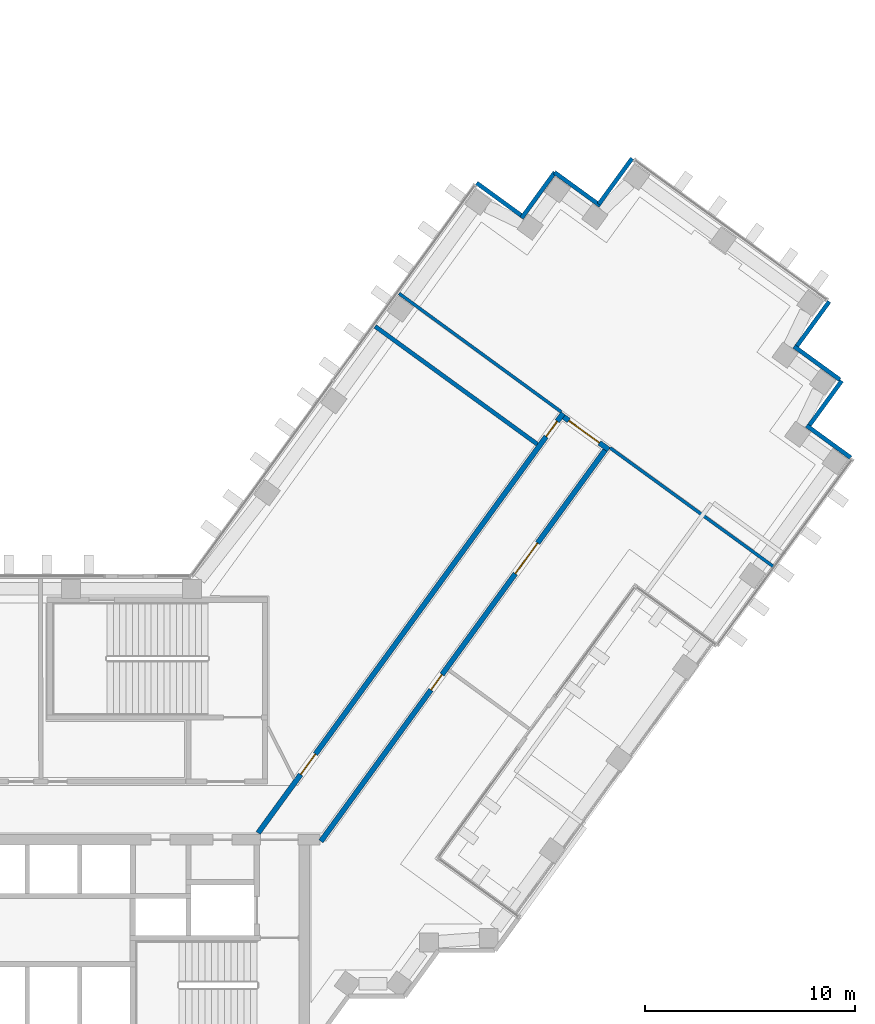
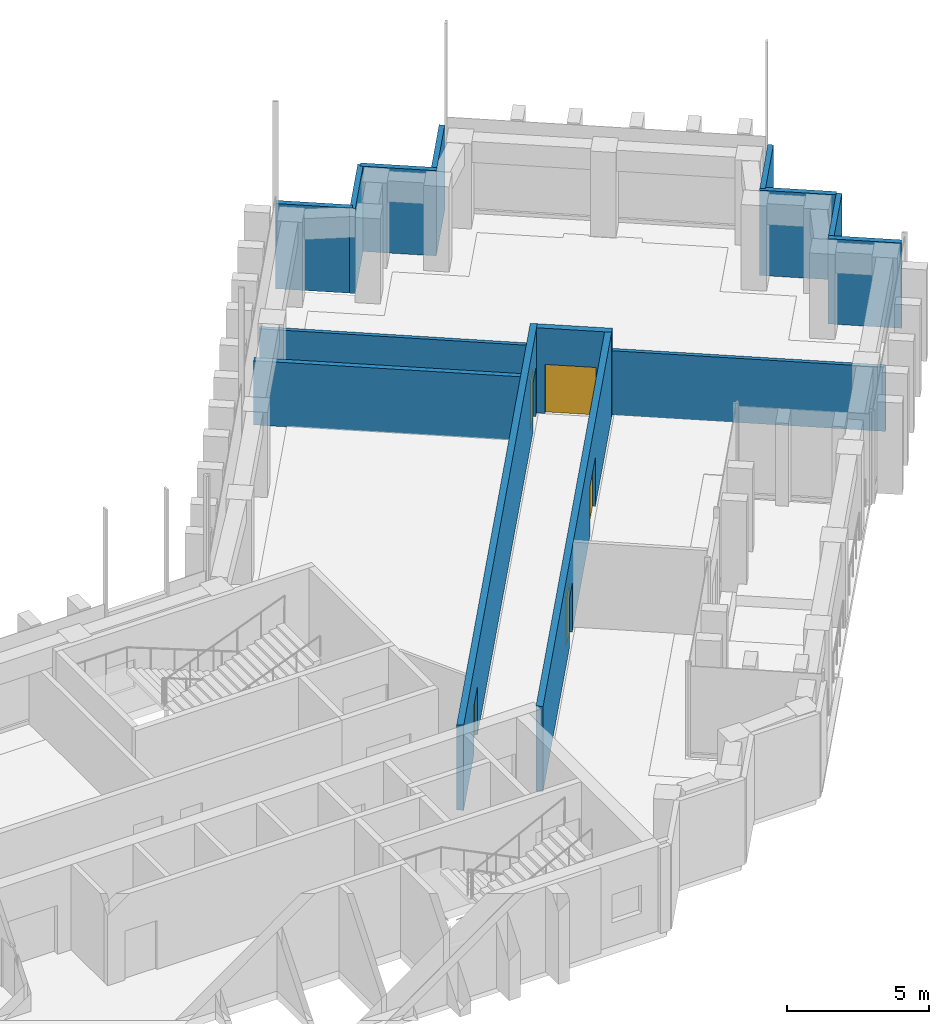
# One storey, part 13 of 17: 14 walls, 5 doors, 5 openings.
"""IFC4 building model written with IfcOpenShell, lengths in metres."""

from ifc_helpers import new_model, si_unit, direction, frame, frame_2d, origin, place, context, subcontext, project, spatial, rectangle, extrude, material, layer, layer_set, type_object, element, fill, save


model = new_model("IFC4")

# Units and contexts
model_context = context("Model", 3, precision=1e-05, world=origin(), true_north=direction((0.0, 1.0)))
body_context = subcontext(model_context, "Body", "Model", "MODEL_VIEW")
ifc_project = project(units=[si_unit("LENGTHUNIT", "METRE"), si_unit("AREAUNIT", "SQUARE_METRE"), si_unit("VOLUMEUNIT", "CUBIC_METRE"), si_unit("PLANEANGLEUNIT", "RADIAN"), si_unit("MASSUNIT", "GRAM", prefix="KILO")], contexts=[model_context])

# Site, building, storey
site_placement = place(None, origin())
site = spatial("IfcSite", under=ifc_project, at=site_placement, CompositionType="ELEMENT")
building_placement = place(site_placement, origin())
building = spatial("IfcBuilding", under=site, at=building_placement, Name="Quipu Civic Tower", CompositionType="ELEMENT")
storey_placement = place(building_placement, frame((0.0, 0.0, 101.0)))
storey = spatial("IfcBuildingStorey", under=building, at=storey_placement, Name="L23", CompositionType="ELEMENT", Elevation=101.0)

# Walls
ifc_material_1 = material(Name="Double gypsum plasterboard with mineral wool")
ifc_layer_1 = layer(ifc_material_1, 0.14990234375)
ifc_layer_set_1 = layer_set([ifc_layer_1], Name="Double gypsum plasterboard with mineral wool")
wall_type_1 = type_object("IfcWallType", Name="Acoustic partition 150 plasterboard", PredefinedType="PARTITIONING", material=ifc_layer_set_1)
wall_1_placement = place(storey_placement, frame((42.105712890625, 11.539794921875, 0.0), z_axis=(0.0, 0.0, 1.0), x_axis=(-0.808982149318, 0.587833209409, 0.0)))
element("IfcWall", 1, at=wall_1_placement, inside=storey, type_object=wall_type_1, Name="Partition P02", PredefinedType="PARTITIONING", context=body_context, shape_type="SweptSolid", body=[
    extrude(rectangle(XDim=9.65087890625, YDim=0.14990234375, at=frame_2d((4.825439453125, 0.0))), origin(), (0.0, 0.0, 1.0), 2.75),
])
wall_2_placement = place(storey_placement, frame((24.25146484375, 24.56591796875, 0.0), z_axis=(0.0, 0.0, 1.0), x_axis=(0.807588329082, -0.589746632657, 0.0)))
element("IfcWall", 2, at=wall_2_placement, inside=storey, type_object=wall_type_1, Name="Partition P12", PredefinedType="PARTITIONING", context=body_context, shape_type="SweptSolid", body=[
    extrude(rectangle(XDim=9.56982421875, YDim=0.14990234375, at=frame_2d((4.784912109375, 0.0))), origin(), (0.0, 0.0, 1.0), 2.75),
])
ifc_material_2 = material(Name="Fired clay blockwork", Category="masonry")
ifc_layer_2 = layer(ifc_material_2, 0.199951171875)
ifc_layer_set_2 = layer_set([ifc_layer_2], Name="Fired clay blockwork")
wall_type_2 = type_object("IfcWallType", Name="Blockwork wall 200", PredefinedType="SOLIDWALL", material=ifc_layer_set_2)
wall_3_placement = place(storey_placement, frame((30.838134765625, 17.384765625, 0.0), z_axis=(0.0, 0.0, 1.0), x_axis=(-0.809043311713, 0.587749027879, 0.0)))
element("IfcWall", 3, at=wall_3_placement, inside=storey, type_object=wall_type_2, Name="Partition P01", PredefinedType="SOLIDWALL", context=body_context, shape_type="SweptSolid", body=[
    extrude(rectangle(XDim=9.549560546875, YDim=0.199951171875, at=frame_2d((4.77490234375, 0.0))), origin(), (0.0, 0.0, 1.0), 2.75),
])

# Wall, openings, doors
ifc_material_3 = material(Name="Concrete C50/60", Category="concrete")
ifc_layer_3 = layer(ifc_material_3, 0.25)
ifc_layer_set_3 = layer_set([ifc_layer_3], Name="Concrete C50/60")
wall_type_3 = type_object("IfcWallType", Name="Corridor wall 250 concrete", PredefinedType="SOLIDWALL", material=ifc_layer_set_3)
wall_4_placement = place(storey_placement, frame((17.544921875, -1.124755859375, 0.0), z_axis=(0.0, 0.0, 1.0), x_axis=(0.587791430994, 0.80901250525, 0.0)))
wall_4 = element("IfcWall", 4, at=wall_4_placement, inside=storey, type_object=wall_type_3, Name="Corridor wall C06", PredefinedType="SOLIDWALL", context=body_context, shape_type="SweptSolid", body=[
    extrude(rectangle(XDim=24.703125, YDim=0.25, at=frame_2d((12.3515625, 0.0))), origin(), (0.0, 0.0, 1.0), 3.64990234375),
])
opening_1_placement = place(wall_4_placement, frame((3.4423828125, 0.0, 0.0)))
opening_1 = element("IfcOpeningElement", 5, at=opening_1_placement, cuts=wall_4, Name="Opening D001", PredefinedType="OPENING", context=body_context, shape_type="SweptSolid", body=[
    extrude(rectangle(XDim=1.199951171875, YDim=2.10009765625, at=frame_2d((0.60009765625, 1.050048828125))), frame((0.0, 0.135009765625, 0.0), z_axis=(0.0, -1.0, 0.0), x_axis=(1.0, 0.0, 0.0)), (0.0, 0.0, 1.0), 0.27001953125),
])
opening_2_placement = place(wall_4_placement, frame((23.328857421875, 0.0, 0.0)))
opening_2 = element("IfcOpeningElement", 6, at=opening_2_placement, cuts=wall_4, Name="Opening D002", PredefinedType="OPENING", context=body_context, shape_type="SweptSolid", body=[
    extrude(rectangle(XDim=0.89990234375, YDim=2.10009765625, at=frame_2d((0.449951171875, 1.050048828125))), frame((0.0, 0.135009765625, 0.0), z_axis=(0.0, -1.0, 0.0), x_axis=(1.0, 0.0, 0.0)), (0.0, 0.0, 1.0), 0.27001953125),
])
ifc_material_4 = material(Name="Fire rated timber door set with metal frame", Category="wood")
door_type_1 = type_object("IfcDoorType", Name="Single door 1200 x 2100 FD60", OperationType="NOTDEFINED", PredefinedType="DOOR", material=ifc_material_4)
door_1_placement = place(opening_1_placement, origin())
door_1 = element("IfcDoor", 7, at=door_1_placement, inside=storey, type_object=door_type_1, Name="Door D001", OperationType="SINGLE_SWING_LEFT", OverallHeight=2.10009765625, OverallWidth=1.199951171875, PredefinedType="DOOR", context=body_context, shape_type="SweptSolid", body=[
    extrude(rectangle(XDim=1.199951171875, YDim=2.10009765625, at=frame_2d((0.60009765625, 1.050048828125))), frame((0.0, 0.02490234375, 0.0), z_axis=(0.0, -1.0, 0.0), x_axis=(1.0, 0.0, 0.0)), (0.0, 0.0, 1.0), 0.050048828125),
])
fill(opening_1, door_1)
ifc_material_5 = material(Name="Fire rated timber door set with metal frame", Category="wood")
door_type_2 = type_object("IfcDoorType", Name="Single door 900 x 2100 FD60", OperationType="NOTDEFINED", PredefinedType="DOOR", material=ifc_material_5)
door_2_placement = place(opening_2_placement, origin())
door_2 = element("IfcDoor", 8, at=door_2_placement, inside=storey, type_object=door_type_2, Name="Door D002", OperationType="SINGLE_SWING_RIGHT", OverallHeight=2.10009765625, OverallWidth=0.89990234375, PredefinedType="DOOR", context=body_context, shape_type="SweptSolid", body=[
    extrude(rectangle(XDim=0.89990234375, YDim=2.10009765625, at=frame_2d((0.449951171875, 1.050048828125))), frame((0.0, 0.02490234375, 0.0), z_axis=(0.0, -1.0, 0.0), x_axis=(1.0, 0.0, 0.0)), (0.0, 0.0, 1.0), 0.050048828125),
])
fill(opening_2, door_2)

# Wall, opening, door
wall_5_placement = place(storey_placement, frame((32.0927734375, 18.685791015625, 0.0), z_axis=(0.0, 0.0, 1.0), x_axis=(0.809006914995, -0.587799125119, 0.0)))
wall_5 = element("IfcWall", 9, at=wall_5_placement, inside=storey, type_object=wall_type_3, Name="Corridor wall C07", PredefinedType="SOLIDWALL", context=body_context, shape_type="SweptSolid", body=[
    extrude(rectangle(XDim=2.64990234375, YDim=0.25, at=frame_2d((1.324951171875, 0.0))), origin(), (0.0, 0.0, 1.0), 3.64990234375),
])
opening_3_placement = place(wall_5_placement, frame((0.2998046875, 0.0, 0.0)))
opening_3 = element("IfcOpeningElement", 10, at=opening_3_placement, cuts=wall_5, Name="Opening D005", PredefinedType="OPENING", context=body_context, shape_type="SweptSolid", body=[
    extrude(rectangle(XDim=1.800048828125, YDim=2.10009765625, at=frame_2d((0.89990234375, 1.050048828125))), frame((0.0, 0.135009765625, 0.0), z_axis=(0.0, -1.0, 0.0), x_axis=(1.0, 0.0, 0.0)), (0.0, 0.0, 1.0), 0.27001953125),
])
ifc_material_6 = material(Name="Fire rated timber door set with metal frame", Category="wood")
door_type_3 = type_object("IfcDoorType", Name="Double door 1800 x 2100 FD60", OperationType="DOUBLE_DOOR_SINGLE_SWING", PredefinedType="DOOR", material=ifc_material_6)
door_3_placement = place(opening_3_placement, origin())
door_3 = element("IfcDoor", 11, at=door_3_placement, inside=storey, type_object=door_type_3, Name="Door D005", OperationType="DOUBLE_DOOR_SINGLE_SWING", OverallHeight=2.10009765625, OverallWidth=1.800048828125, PredefinedType="DOOR", context=body_context, shape_type="SweptSolid", body=[
    extrude(rectangle(XDim=1.800048828125, YDim=2.10009765625, at=frame_2d((0.89990234375, 1.050048828125))), frame((0.0, 0.02490234375, 0.0), z_axis=(0.0, -1.0, 0.0), x_axis=(1.0, 0.0, 0.0)), (0.0, 0.0, 1.0), 0.050048828125),
])
fill(opening_3, door_3)

# Wall, openings, doors
wall_6_placement = place(storey_placement, frame((34.06201171875, 17.1005859375, 0.0), z_axis=(0.0, 0.0, 1.0), x_axis=(-0.58778129431, -0.809019870003, 0.0)))
wall_6 = element("IfcWall", 12, at=wall_6_placement, inside=storey, type_object=wall_type_3, Name="Corridor wall C08", PredefinedType="SOLIDWALL", context=body_context, shape_type="SweptSolid", body=[
    extrude(rectangle(XDim=23.0205078125, YDim=0.25, at=frame_2d((11.51025390625, 0.0))), origin(), (0.0, 0.0, 1.0), 3.64990234375),
])
opening_4_placement = place(wall_6_placement, frame((5.464599609375, 0.0, 0.0)))
opening_4 = element("IfcOpeningElement", 13, at=opening_4_placement, cuts=wall_6, Name="Opening D004", PredefinedType="OPENING", context=body_context, shape_type="SweptSolid", body=[
    extrude(rectangle(XDim=1.800048828125, YDim=2.10009765625, at=frame_2d((0.89990234375, 1.050048828125))), frame((0.0, 0.135009765625, 0.0), z_axis=(0.0, -1.0, 0.0), x_axis=(1.0, 0.0, 0.0)), (0.0, 0.0, 1.0), 0.27001953125),
])
opening_5_placement = place(wall_6_placement, frame((13.204833984375, 0.0, 0.0)))
opening_5 = element("IfcOpeningElement", 14, at=opening_5_placement, cuts=wall_6, Name="Opening D003", PredefinedType="OPENING", context=body_context, shape_type="SweptSolid", body=[
    extrude(rectangle(XDim=0.89990234375, YDim=2.10009765625, at=frame_2d((0.449951171875, 1.050048828125))), frame((0.0, 0.135009765625, 0.0), z_axis=(0.0, -1.0, 0.0), x_axis=(1.0, 0.0, 0.0)), (0.0, 0.0, 1.0), 0.27001953125),
])
door_4_placement = place(opening_4_placement, origin())
door_4 = element("IfcDoor", 15, at=door_4_placement, inside=storey, type_object=door_type_3, Name="Door D004", OperationType="DOUBLE_DOOR_SINGLE_SWING", OverallHeight=2.10009765625, OverallWidth=1.800048828125, PredefinedType="DOOR", context=body_context, shape_type="SweptSolid", body=[
    extrude(rectangle(XDim=1.800048828125, YDim=2.10009765625, at=frame_2d((0.89990234375, 1.050048828125))), frame((0.0, 0.02490234375, 0.0), z_axis=(0.0, -1.0, 0.0), x_axis=(1.0, 0.0, 0.0)), (0.0, 0.0, 1.0), 0.050048828125),
])
fill(opening_4, door_4)
door_5_placement = place(opening_5_placement, origin())
door_5 = element("IfcDoor", 16, at=door_5_placement, inside=storey, type_object=door_type_2, Name="Door D003", OperationType="SINGLE_SWING_LEFT", OverallHeight=2.10009765625, OverallWidth=0.89990234375, PredefinedType="DOOR", context=body_context, shape_type="SweptSolid", body=[
    extrude(rectangle(XDim=0.89990234375, YDim=2.10009765625, at=frame_2d((0.449951171875, 1.050048828125))), frame((0.0, 0.02490234375, 0.0), z_axis=(0.0, -1.0, 0.0), x_axis=(1.0, 0.0, 0.0)), (0.0, 0.0, 1.0), 0.050048828125),
])
fill(opening_5, door_5)

# Walls
ifc_material_7 = material(Name="Precast concrete C40/50", Category="concrete")
wall_type_4 = type_object("IfcWallType", Name="Precast cladding wall", PredefinedType="SOLIDWALL", material=ifc_material_7)
wall_7_placement = place(storey_placement, frame((45.761474609375, 16.743408203125, 0.0), z_axis=(0.0, 0.0, 1.0), x_axis=(-0.808979656733, 0.587836639716, 0.0)))
element("IfcWall", 17, at=wall_7_placement, inside=storey, type_object=wall_type_4, Name="Precast cladding wall L23 P01", PredefinedType="SOLIDWALL", context=body_context, shape_type="SweptSolid", body=[
    extrude(rectangle(XDim=2.599853515625, YDim=0.199951171875, at=frame_2d((1.2998046875, 0.0))), origin(), (0.0, 0.0, 1.0), 3.64990234375),
])
for number, where, z_axis, x_axis, name in (
    (18, (43.74609375, 18.22265625, 0.0), (0.0, 0.0, 1.0), (0.587762999008, 0.809033161865, 0.0), "Precast cladding wall L23 P02"),
    (19, (45.2451171875, 20.4560546875, 0.0), (0.0, 0.0, 1.0), (-0.809033161865, 0.587762999008, 0.0), "Precast cladding wall L23 P03"),
    (20, (43.148681640625, 21.993896484375, 0.0), (0.0, 0.0, 1.0), (0.587822180636, 0.808990163075, 0.0), "Precast cladding wall L23 P27"),
    (21, (35.351318359375, 30.99658203125, 0.0), (0.0, 0.0, 1.0), (-0.587822180636, -0.808990163075, 0.0), "Precast cladding wall L23 P29"),
    (22, (33.837890625, 28.743896484375, 0.0), (0.0, 0.0, 1.0), (-0.809033161865, 0.587762999008, 0.0), "Precast cladding wall L23 P30"),
    (23, (31.67041015625, 30.33349609375, 0.0), (0.0, 0.0, 1.0), (-0.587762999008, -0.809033161865, 0.0), "Precast cladding wall L23 P31"),
    (24, (30.132568359375, 28.237060546875, 0.0), (0.0, 0.0, 1.0), (-0.808990163075, 0.587822180636, 0.0), "Precast cladding wall L23 P32"),
):
    element("IfcWall", number, at=place(storey_placement, frame(where, z_axis=z_axis, x_axis=x_axis)), inside=storey, type_object=wall_type_4, Name=name, PredefinedType="SOLIDWALL", context=body_context, shape_type="SweptSolid", body=[
        extrude(rectangle(XDim=2.699951171875, YDim=0.199951171875, at=frame_2d((1.35009765625, 0.0))), origin(), (0.0, 0.0, 1.0), 3.64990234375),
    ])

save(model, "model.ifc")
